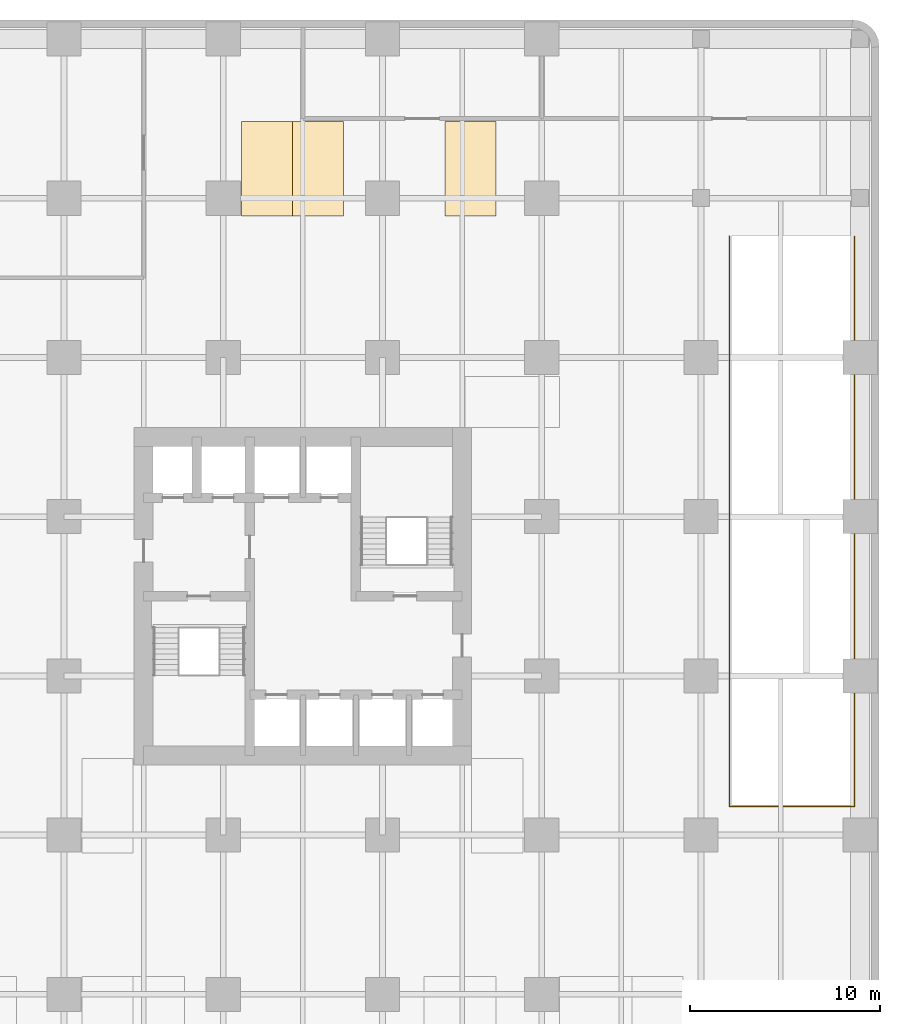
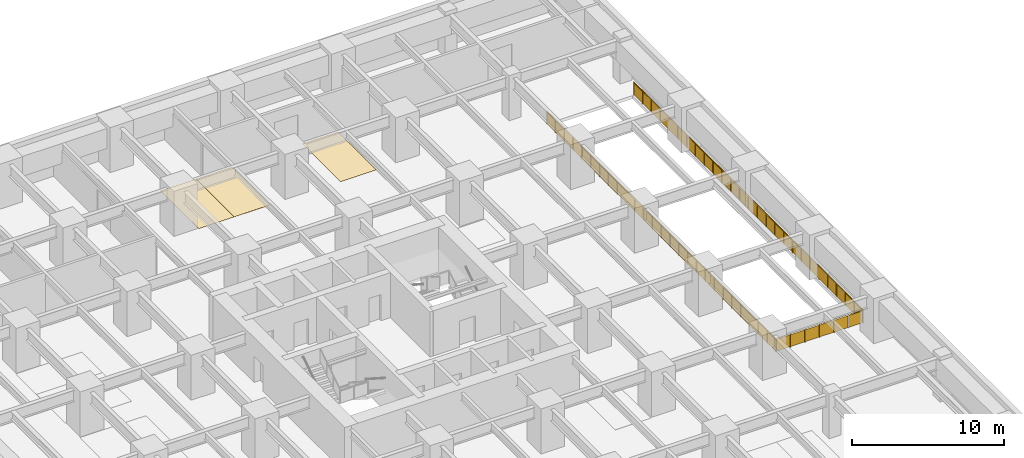
# One storey, part 9 of 9: 3 coverings, 1 railing.
"""IFC4 building model written with IfcOpenShell, lengths in metres."""

from ifc_helpers import new_model, si_unit, direction, frame, origin, origin_2d, place, context, subcontext, project, spatial, polyline, circle, outline, extrude, material, layer, layer_set, type_object, element, save


model = new_model("IFC4")

# Units and contexts
model_context = context("Model", 3, precision=1e-05, world=origin(), true_north=direction((0.0, 1.0)))
body_context = subcontext(model_context, "Body", "Model", "MODEL_VIEW")
ifc_project = project(units=[si_unit("LENGTHUNIT", "METRE"), si_unit("AREAUNIT", "SQUARE_METRE"), si_unit("VOLUMEUNIT", "CUBIC_METRE"), si_unit("PLANEANGLEUNIT", "RADIAN"), si_unit("MASSUNIT", "GRAM", prefix="KILO")], contexts=[model_context])

# Site, building, storey
site_placement = place(None, origin())
site = spatial("IfcSite", under=ifc_project, at=site_placement, CompositionType="ELEMENT")
building_placement = place(site_placement, origin())
building = spatial("IfcBuilding", under=site, at=building_placement, Name="Torre Alcanfor", CompositionType="ELEMENT")
storey_placement = place(building_placement, frame((0.0, 0.0, -3.60009765625)))
storey = spatial("IfcBuildingStorey", under=building, at=storey_placement, Name="B1", CompositionType="ELEMENT", Elevation=-3.60009765625)

# Coverings
ifc_material_1 = material(Name="Line-marking paint on sealed concrete", Category="concrete")
ifc_layer = layer(ifc_material_1, 0.0029296875)
ifc_layer_set = layer_set([ifc_layer], Name="Parking bay marking 2700x5000")
covering_type = type_object("IfcCoveringType", Name="Parking bay marking 2700x5000", PredefinedType="USERDEFINED", material=ifc_layer_set)
covering_1_placement = place(storey_placement, origin())
element("IfcCovering", 1, at=covering_1_placement, inside=storey, type_object=covering_type, Name="Parking bay 132", ObjectType="PARKING BAY", PredefinedType="USERDEFINED", context=body_context, shape_type="SweptSolid", body=[
    extrude(outline(polyline([(26.14990234375, 49.449951171875), (28.85009765625, 49.449951171875), (28.85009765625, 54.449951171875), (26.14990234375, 54.449951171875), (26.14990234375, 49.449951171875)])), origin(), (0.0, 0.0, 1.0), 0.003173828125),
])
covering_2_placement = place(storey_placement, origin())
element("IfcCovering", 2, at=covering_2_placement, inside=storey, type_object=covering_type, Name="Parking bay 133", ObjectType="PARKING BAY", PredefinedType="USERDEFINED", context=body_context, shape_type="SweptSolid", body=[
    extrude(outline(polyline([(28.85009765625, 49.449951171875), (31.550048828125, 49.449951171875), (31.550048828125, 54.449951171875), (28.85009765625, 54.449951171875), (28.85009765625, 49.449951171875)])), origin(), (0.0, 0.0, 1.0), 0.003173828125),
])
covering_3_placement = place(storey_placement, origin())
element("IfcCovering", 3, at=covering_3_placement, inside=storey, type_object=covering_type, Name="Parking bay 134", ObjectType="PARKING BAY", PredefinedType="USERDEFINED", context=body_context, shape_type="SweptSolid", body=[
    extrude(outline(polyline([(36.89990234375, 49.449951171875), (39.60009765625, 49.449951171875), (39.60009765625, 54.449951171875), (36.89990234375, 54.449951171875), (36.89990234375, 49.449951171875)])), origin(), (0.0, 0.0, 1.0), 0.003173828125),
])

# Railing
ifc_material_2 = material(Name="Steel ASTM A500 Grade C hollow sections, hot-dip galvanised ASTM A123", Category="steel")
railing_type = type_object("IfcRailingType", Name="Ramp guard 1100", PredefinedType="GUARDRAIL", material=ifc_material_2)
railing_placement = place(storey_placement, frame((51.89990234375, 48.39990234375, 0.0)))
element("IfcRailing", 4, at=railing_placement, inside=storey, type_object=railing_type, Name="Ramp opening guard B1", PredefinedType="GUARDRAIL", context=body_context, shape_type="SweptSolid", body=[
    extrude(circle(Radius=0.02392578125, at=origin_2d()), frame((0.0, 0.0, 1.076171875), z_axis=(0.0, -1.0, 0.0), x_axis=(1.0, 0.0, 0.0)), (0.0, 0.0, 1.0), 30.099853515625),
    extrude(circle(Radius=0.02392578125, at=origin_2d()), frame((0.0, -30.099853515625, 1.076171875), z_axis=(1.0, 0.0, 0.0), x_axis=(0.0, 1.0, 0.0)), (0.0, 0.0, 1.0), 6.60009765625),
    extrude(circle(Radius=0.02392578125, at=origin_2d()), frame((6.60009765625, -30.099853515625, 1.076171875), z_axis=(0.0, 1.0, 0.0), x_axis=(-1.0, 0.0, 0.0)), (0.0, 0.0, 1.0), 30.099853515625),
    extrude(circle(Radius=0.02099609375, at=origin_2d()), origin(), (0.0, 0.0, 1.0), 1.052001953125),
    extrude(circle(Radius=0.02099609375, at=origin_2d()), frame((0.0, -1.15771484375, 0.0)), (0.0, 0.0, 1.0), 1.052001953125),
    extrude(circle(Radius=0.02099609375, at=origin_2d()), frame((0.0, -2.3154296875, 0.0)), (0.0, 0.0, 1.0), 1.052001953125),
    extrude(circle(Radius=0.02099609375, at=origin_2d()), frame((0.0, -3.47314453125, 0.0)), (0.0, 0.0, 1.0), 1.052001953125),
    extrude(circle(Radius=0.02099609375, at=origin_2d()), frame((0.0, -4.630859375, 0.0)), (0.0, 0.0, 1.0), 1.052001953125),
    extrude(circle(Radius=0.02099609375, at=origin_2d()), frame((0.0, -5.788330078125, 0.0)), (0.0, 0.0, 1.0), 1.052001953125),
    extrude(circle(Radius=0.02099609375, at=origin_2d()), frame((0.0, -6.946044921875, 0.0)), (0.0, 0.0, 1.0), 1.052001953125),
    extrude(circle(Radius=0.02099609375, at=origin_2d()), frame((0.0, -8.103759765625, 0.0)), (0.0, 0.0, 1.0), 1.052001953125),
    extrude(circle(Radius=0.02099609375, at=origin_2d()), frame((0.0, -9.261474609375, 0.0)), (0.0, 0.0, 1.0), 1.052001953125),
    extrude(circle(Radius=0.02099609375, at=origin_2d()), frame((0.0, -10.419189453125, 0.0)), (0.0, 0.0, 1.0), 1.052001953125),
    extrude(circle(Radius=0.02099609375, at=origin_2d()), frame((0.0, -11.576904296875, 0.0)), (0.0, 0.0, 1.0), 1.052001953125),
    extrude(circle(Radius=0.02099609375, at=origin_2d()), frame((0.0, -12.734619140625, 0.0)), (0.0, 0.0, 1.0), 1.052001953125),
    extrude(circle(Radius=0.02099609375, at=origin_2d()), frame((0.0, -13.892333984375, 0.0)), (0.0, 0.0, 1.0), 1.052001953125),
    extrude(circle(Radius=0.02099609375, at=origin_2d()), frame((0.0, -15.0498046875, 0.0)), (0.0, 0.0, 1.0), 1.052001953125),
    extrude(circle(Radius=0.02099609375, at=origin_2d()), frame((0.0, -16.20751953125, 0.0)), (0.0, 0.0, 1.0), 1.052001953125),
    extrude(circle(Radius=0.02099609375, at=origin_2d()), frame((0.0, -17.365234375, 0.0)), (0.0, 0.0, 1.0), 1.052001953125),
    extrude(circle(Radius=0.02099609375, at=origin_2d()), frame((0.0, -18.52294921875, 0.0)), (0.0, 0.0, 1.0), 1.052001953125),
    extrude(circle(Radius=0.02099609375, at=origin_2d()), frame((0.0, -19.6806640625, 0.0)), (0.0, 0.0, 1.0), 1.052001953125),
    extrude(circle(Radius=0.02099609375, at=origin_2d()), frame((0.0, -20.83837890625, 0.0)), (0.0, 0.0, 1.0), 1.052001953125),
    extrude(circle(Radius=0.02099609375, at=origin_2d()), frame((0.0, -21.99609375, 0.0)), (0.0, 0.0, 1.0), 1.052001953125),
    extrude(circle(Radius=0.02099609375, at=origin_2d()), frame((0.0, -23.15380859375, 0.0)), (0.0, 0.0, 1.0), 1.052001953125),
    extrude(circle(Radius=0.02099609375, at=origin_2d()), frame((0.0, -24.3115234375, 0.0)), (0.0, 0.0, 1.0), 1.052001953125),
    extrude(circle(Radius=0.02099609375, at=origin_2d()), frame((0.0, -25.468994140625, 0.0)), (0.0, 0.0, 1.0), 1.052001953125),
    extrude(circle(Radius=0.02099609375, at=origin_2d()), frame((0.0, -26.626708984375, 0.0)), (0.0, 0.0, 1.0), 1.052001953125),
    extrude(circle(Radius=0.02099609375, at=origin_2d()), frame((0.0, -27.784423828125, 0.0)), (0.0, 0.0, 1.0), 1.052001953125),
    extrude(circle(Radius=0.02099609375, at=origin_2d()), frame((0.0, -28.942138671875, 0.0)), (0.0, 0.0, 1.0), 1.052001953125),
    extrude(circle(Radius=0.02099609375, at=origin_2d()), frame((0.0, -30.099853515625, 0.0)), (0.0, 0.0, 1.0), 1.052001953125),
    extrude(circle(Radius=0.02099609375, at=origin_2d()), frame((1.10009765625, -30.099853515625, 0.0)), (0.0, 0.0, 1.0), 1.052001953125),
    extrude(circle(Radius=0.02099609375, at=origin_2d()), frame((2.199951171875, -30.099853515625, 0.0)), (0.0, 0.0, 1.0), 1.052001953125),
    extrude(circle(Radius=0.02099609375, at=origin_2d()), frame((3.300048828125, -30.099853515625, 0.0)), (0.0, 0.0, 1.0), 1.052001953125),
    extrude(circle(Radius=0.02099609375, at=origin_2d()), frame((4.400146484375, -30.099853515625, 0.0)), (0.0, 0.0, 1.0), 1.052001953125),
    extrude(circle(Radius=0.02099609375, at=origin_2d()), frame((5.5, -30.099853515625, 0.0)), (0.0, 0.0, 1.0), 1.052001953125),
    extrude(circle(Radius=0.02099609375, at=origin_2d()), frame((6.60009765625, -30.099853515625, 0.0)), (0.0, 0.0, 1.0), 1.052001953125),
    extrude(circle(Radius=0.02099609375, at=origin_2d()), frame((6.60009765625, -28.942138671875, 0.0)), (0.0, 0.0, 1.0), 1.052001953125),
    extrude(circle(Radius=0.02099609375, at=origin_2d()), frame((6.60009765625, -27.784423828125, 0.0)), (0.0, 0.0, 1.0), 1.052001953125),
    extrude(circle(Radius=0.02099609375, at=origin_2d()), frame((6.60009765625, -26.626708984375, 0.0)), (0.0, 0.0, 1.0), 1.052001953125),
    extrude(circle(Radius=0.02099609375, at=origin_2d()), frame((6.60009765625, -25.468994140625, 0.0)), (0.0, 0.0, 1.0), 1.052001953125),
    extrude(circle(Radius=0.02099609375, at=origin_2d()), frame((6.60009765625, -24.3115234375, 0.0)), (0.0, 0.0, 1.0), 1.052001953125),
    extrude(circle(Radius=0.02099609375, at=origin_2d()), frame((6.60009765625, -23.15380859375, 0.0)), (0.0, 0.0, 1.0), 1.052001953125),
    extrude(circle(Radius=0.02099609375, at=origin_2d()), frame((6.60009765625, -21.99609375, 0.0)), (0.0, 0.0, 1.0), 1.052001953125),
    extrude(circle(Radius=0.02099609375, at=origin_2d()), frame((6.60009765625, -20.83837890625, 0.0)), (0.0, 0.0, 1.0), 1.052001953125),
    extrude(circle(Radius=0.02099609375, at=origin_2d()), frame((6.60009765625, -19.6806640625, 0.0)), (0.0, 0.0, 1.0), 1.052001953125),
    extrude(circle(Radius=0.02099609375, at=origin_2d()), frame((6.60009765625, -18.52294921875, 0.0)), (0.0, 0.0, 1.0), 1.052001953125),
    extrude(circle(Radius=0.02099609375, at=origin_2d()), frame((6.60009765625, -17.365234375, 0.0)), (0.0, 0.0, 1.0), 1.052001953125),
    extrude(circle(Radius=0.02099609375, at=origin_2d()), frame((6.60009765625, -16.20751953125, 0.0)), (0.0, 0.0, 1.0), 1.052001953125),
    extrude(circle(Radius=0.02099609375, at=origin_2d()), frame((6.60009765625, -15.0498046875, 0.0)), (0.0, 0.0, 1.0), 1.052001953125),
    extrude(circle(Radius=0.02099609375, at=origin_2d()), frame((6.60009765625, -13.892333984375, 0.0)), (0.0, 0.0, 1.0), 1.052001953125),
    extrude(circle(Radius=0.02099609375, at=origin_2d()), frame((6.60009765625, -12.734619140625, 0.0)), (0.0, 0.0, 1.0), 1.052001953125),
    extrude(circle(Radius=0.02099609375, at=origin_2d()), frame((6.60009765625, -11.576904296875, 0.0)), (0.0, 0.0, 1.0), 1.052001953125),
    extrude(circle(Radius=0.02099609375, at=origin_2d()), frame((6.60009765625, -10.419189453125, 0.0)), (0.0, 0.0, 1.0), 1.052001953125),
    extrude(circle(Radius=0.02099609375, at=origin_2d()), frame((6.60009765625, -9.261474609375, 0.0)), (0.0, 0.0, 1.0), 1.052001953125),
    extrude(circle(Radius=0.02099609375, at=origin_2d()), frame((6.60009765625, -8.103759765625, 0.0)), (0.0, 0.0, 1.0), 1.052001953125),
    extrude(circle(Radius=0.02099609375, at=origin_2d()), frame((6.60009765625, -6.946044921875, 0.0)), (0.0, 0.0, 1.0), 1.052001953125),
    extrude(circle(Radius=0.02099609375, at=origin_2d()), frame((6.60009765625, -5.788330078125, 0.0)), (0.0, 0.0, 1.0), 1.052001953125),
    extrude(circle(Radius=0.02099609375, at=origin_2d()), frame((6.60009765625, -4.630859375, 0.0)), (0.0, 0.0, 1.0), 1.052001953125),
    extrude(circle(Radius=0.02099609375, at=origin_2d()), frame((6.60009765625, -3.47314453125, 0.0)), (0.0, 0.0, 1.0), 1.052001953125),
    extrude(circle(Radius=0.02099609375, at=origin_2d()), frame((6.60009765625, -2.3154296875, 0.0)), (0.0, 0.0, 1.0), 1.052001953125),
    extrude(circle(Radius=0.02099609375, at=origin_2d()), frame((6.60009765625, -1.15771484375, 0.0)), (0.0, 0.0, 1.0), 1.052001953125),
    extrude(circle(Radius=0.02099609375, at=origin_2d()), frame((6.60009765625, 0.0, 0.0)), (0.0, 0.0, 1.0), 1.052001953125),
    extrude(outline(polyline([(0.041015625, 0.050048828125), (1.11669921875, 0.050048828125), (1.11669921875, 1.001953125), (0.041015625, 1.001953125), (0.041015625, 0.050048828125)])), frame((0.005859375, 0.0, 0.0), z_axis=(-1.0, 0.0, 0.0), x_axis=(0.0, -1.0, 0.0)), (0.0, 0.0, 1.0), 0.011962890625),
    extrude(outline(polyline([(1.19873046875, 0.050048828125), (2.2744140625, 0.050048828125), (2.2744140625, 1.001953125), (1.19873046875, 1.001953125), (1.19873046875, 0.050048828125)])), frame((0.005859375, 0.0, 0.0), z_axis=(-1.0, 0.0, 0.0), x_axis=(0.0, -1.0, 0.0)), (0.0, 0.0, 1.0), 0.011962890625),
    extrude(outline(polyline([(2.3564453125, 0.050048828125), (3.43212890625, 0.050048828125), (3.43212890625, 1.001953125), (2.3564453125, 1.001953125), (2.3564453125, 0.050048828125)])), frame((0.005859375, 0.0, 0.0), z_axis=(-1.0, 0.0, 0.0), x_axis=(0.0, -1.0, 0.0)), (0.0, 0.0, 1.0), 0.011962890625),
    extrude(outline(polyline([(3.51416015625, 0.050048828125), (4.58984375, 0.050048828125), (4.58984375, 1.001953125), (3.51416015625, 1.001953125), (3.51416015625, 0.050048828125)])), frame((0.005859375, 0.0, 0.0), z_axis=(-1.0, 0.0, 0.0), x_axis=(0.0, -1.0, 0.0)), (0.0, 0.0, 1.0), 0.011962890625),
    extrude(outline(polyline([(4.671630859375, 0.050048828125), (5.747314453125, 0.050048828125), (5.747314453125, 1.001953125), (4.671630859375, 1.001953125), (4.671630859375, 0.050048828125)])), frame((0.005859375, 0.0, 0.0), z_axis=(-1.0, 0.0, 0.0), x_axis=(0.0, -1.0, 0.0)), (0.0, 0.0, 1.0), 0.011962890625),
    extrude(outline(polyline([(5.829345703125, 0.050048828125), (6.905029296875, 0.050048828125), (6.905029296875, 1.001953125), (5.829345703125, 1.001953125), (5.829345703125, 0.050048828125)])), frame((0.005859375, 0.0, 0.0), z_axis=(-1.0, 0.0, 0.0), x_axis=(0.0, -1.0, 0.0)), (0.0, 0.0, 1.0), 0.011962890625),
    extrude(outline(polyline([(6.987060546875, 0.050048828125), (8.062744140625, 0.050048828125), (8.062744140625, 1.001953125), (6.987060546875, 1.001953125), (6.987060546875, 0.050048828125)])), frame((0.005859375, 0.0, 0.0), z_axis=(-1.0, 0.0, 0.0), x_axis=(0.0, -1.0, 0.0)), (0.0, 0.0, 1.0), 0.011962890625),
    extrude(outline(polyline([(8.144775390625, 0.050048828125), (9.220458984375, 0.050048828125), (9.220458984375, 1.001953125), (8.144775390625, 1.001953125), (8.144775390625, 0.050048828125)])), frame((0.005859375, 0.0, 0.0), z_axis=(-1.0, 0.0, 0.0), x_axis=(0.0, -1.0, 0.0)), (0.0, 0.0, 1.0), 0.011962890625),
    extrude(outline(polyline([(9.302490234375, 0.050048828125), (10.378173828125, 0.050048828125), (10.378173828125, 1.001953125), (9.302490234375, 1.001953125), (9.302490234375, 0.050048828125)])), frame((0.005859375, 0.0, 0.0), z_axis=(-1.0, 0.0, 0.0), x_axis=(0.0, -1.0, 0.0)), (0.0, 0.0, 1.0), 0.011962890625),
    extrude(outline(polyline([(10.460205078125, 0.050048828125), (11.535888671875, 0.050048828125), (11.535888671875, 1.001953125), (10.460205078125, 1.001953125), (10.460205078125, 0.050048828125)])), frame((0.005859375, 0.0, 0.0), z_axis=(-1.0, 0.0, 0.0), x_axis=(0.0, -1.0, 0.0)), (0.0, 0.0, 1.0), 0.011962890625),
    extrude(outline(polyline([(11.617919921875, 0.050048828125), (12.693603515625, 0.050048828125), (12.693603515625, 1.001953125), (11.617919921875, 1.001953125), (11.617919921875, 0.050048828125)])), frame((0.005859375, 0.0, 0.0), z_axis=(-1.0, 0.0, 0.0), x_axis=(0.0, -1.0, 0.0)), (0.0, 0.0, 1.0), 0.011962890625),
    extrude(outline(polyline([(12.775634765625, 0.050048828125), (13.851318359375, 0.050048828125), (13.851318359375, 1.001953125), (12.775634765625, 1.001953125), (12.775634765625, 0.050048828125)])), frame((0.005859375, 0.0, 0.0), z_axis=(-1.0, 0.0, 0.0), x_axis=(0.0, -1.0, 0.0)), (0.0, 0.0, 1.0), 0.011962890625),
    extrude(outline(polyline([(13.933349609375, 0.050048828125), (15.009033203125, 0.050048828125), (15.009033203125, 1.001953125), (13.933349609375, 1.001953125), (13.933349609375, 0.050048828125)])), frame((0.005859375, 0.0, 0.0), z_axis=(-1.0, 0.0, 0.0), x_axis=(0.0, -1.0, 0.0)), (0.0, 0.0, 1.0), 0.011962890625),
    extrude(outline(polyline([(15.0908203125, 0.050048828125), (16.16650390625, 0.050048828125), (16.16650390625, 1.001953125), (15.0908203125, 1.001953125), (15.0908203125, 0.050048828125)])), frame((0.005859375, 0.0, 0.0), z_axis=(-1.0, 0.0, 0.0), x_axis=(0.0, -1.0, 0.0)), (0.0, 0.0, 1.0), 0.011962890625),
    extrude(outline(polyline([(16.24853515625, 0.050048828125), (17.32421875, 0.050048828125), (17.32421875, 1.001953125), (16.24853515625, 1.001953125), (16.24853515625, 0.050048828125)])), frame((0.005859375, 0.0, 0.0), z_axis=(-1.0, 0.0, 0.0), x_axis=(0.0, -1.0, 0.0)), (0.0, 0.0, 1.0), 0.011962890625),
    extrude(outline(polyline([(17.40625, 0.050048828125), (18.48193359375, 0.050048828125), (18.48193359375, 1.001953125), (17.40625, 1.001953125), (17.40625, 0.050048828125)])), frame((0.005859375, 0.0, 0.0), z_axis=(-1.0, 0.0, 0.0), x_axis=(0.0, -1.0, 0.0)), (0.0, 0.0, 1.0), 0.011962890625),
    extrude(outline(polyline([(18.56396484375, 0.050048828125), (19.6396484375, 0.050048828125), (19.6396484375, 1.001953125), (18.56396484375, 1.001953125), (18.56396484375, 0.050048828125)])), frame((0.005859375, 0.0, 0.0), z_axis=(-1.0, 0.0, 0.0), x_axis=(0.0, -1.0, 0.0)), (0.0, 0.0, 1.0), 0.011962890625),
    extrude(outline(polyline([(19.7216796875, 0.050048828125), (20.79736328125, 0.050048828125), (20.79736328125, 1.001953125), (19.7216796875, 1.001953125), (19.7216796875, 0.050048828125)])), frame((0.005859375, 0.0, 0.0), z_axis=(-1.0, 0.0, 0.0), x_axis=(0.0, -1.0, 0.0)), (0.0, 0.0, 1.0), 0.011962890625),
    extrude(outline(polyline([(20.87939453125, 0.050048828125), (21.955078125, 0.050048828125), (21.955078125, 1.001953125), (20.87939453125, 1.001953125), (20.87939453125, 0.050048828125)])), frame((0.005859375, 0.0, 0.0), z_axis=(-1.0, 0.0, 0.0), x_axis=(0.0, -1.0, 0.0)), (0.0, 0.0, 1.0), 0.011962890625),
    extrude(outline(polyline([(22.037109375, 0.050048828125), (23.11279296875, 0.050048828125), (23.11279296875, 1.001953125), (22.037109375, 1.001953125), (22.037109375, 0.050048828125)])), frame((0.005859375, 0.0, 0.0), z_axis=(-1.0, 0.0, 0.0), x_axis=(0.0, -1.0, 0.0)), (0.0, 0.0, 1.0), 0.011962890625),
    extrude(outline(polyline([(23.19482421875, 0.050048828125), (24.2705078125, 0.050048828125), (24.2705078125, 1.001953125), (23.19482421875, 1.001953125), (23.19482421875, 0.050048828125)])), frame((0.005859375, 0.0, 0.0), z_axis=(-1.0, 0.0, 0.0), x_axis=(0.0, -1.0, 0.0)), (0.0, 0.0, 1.0), 0.011962890625),
    extrude(outline(polyline([(24.3525390625, 0.050048828125), (25.42822265625, 0.050048828125), (25.42822265625, 1.001953125), (24.3525390625, 1.001953125), (24.3525390625, 0.050048828125)])), frame((0.005859375, 0.0, 0.0), z_axis=(-1.0, 0.0, 0.0), x_axis=(0.0, -1.0, 0.0)), (0.0, 0.0, 1.0), 0.011962890625),
    extrude(outline(polyline([(25.510009765625, 0.050048828125), (26.585693359375, 0.050048828125), (26.585693359375, 1.001953125), (25.510009765625, 1.001953125), (25.510009765625, 0.050048828125)])), frame((0.005859375, 0.0, 0.0), z_axis=(-1.0, 0.0, 0.0), x_axis=(0.0, -1.0, 0.0)), (0.0, 0.0, 1.0), 0.011962890625),
    extrude(outline(polyline([(26.667724609375, 0.050048828125), (27.743408203125, 0.050048828125), (27.743408203125, 1.001953125), (26.667724609375, 1.001953125), (26.667724609375, 0.050048828125)])), frame((0.005859375, 0.0, 0.0), z_axis=(-1.0, 0.0, 0.0), x_axis=(0.0, -1.0, 0.0)), (0.0, 0.0, 1.0), 0.011962890625),
    extrude(outline(polyline([(27.825439453125, 0.050048828125), (28.901123046875, 0.050048828125), (28.901123046875, 1.001953125), (27.825439453125, 1.001953125), (27.825439453125, 0.050048828125)])), frame((0.005859375, 0.0, 0.0), z_axis=(-1.0, 0.0, 0.0), x_axis=(0.0, -1.0, 0.0)), (0.0, 0.0, 1.0), 0.011962890625),
    extrude(outline(polyline([(28.983154296875, 0.050048828125), (30.058837890625, 0.050048828125), (30.058837890625, 1.001953125), (28.983154296875, 1.001953125), (28.983154296875, 0.050048828125)])), frame((0.005859375, 0.0, 0.0), z_axis=(-1.0, 0.0, 0.0), x_axis=(0.0, -1.0, 0.0)), (0.0, 0.0, 1.0), 0.011962890625),
    extrude(outline(polyline([(0.041015625, 0.050048828125), (1.05908203125, 0.050048828125), (1.05908203125, 1.001953125), (0.041015625, 1.001953125), (0.041015625, 0.050048828125)])), frame((0.0, -30.09375, 0.0), z_axis=(0.0, -1.0, 0.0), x_axis=(1.0, 0.0, 0.0)), (0.0, 0.0, 1.0), 0.011962890625),
    extrude(outline(polyline([(1.14111328125, 0.050048828125), (2.158935546875, 0.050048828125), (2.158935546875, 1.001953125), (1.14111328125, 1.001953125), (1.14111328125, 0.050048828125)])), frame((0.0, -30.09375, 0.0), z_axis=(0.0, -1.0, 0.0), x_axis=(1.0, 0.0, 0.0)), (0.0, 0.0, 1.0), 0.011962890625),
    extrude(outline(polyline([(2.240966796875, 0.050048828125), (3.259033203125, 0.050048828125), (3.259033203125, 1.001953125), (2.240966796875, 1.001953125), (2.240966796875, 0.050048828125)])), frame((0.0, -30.09375, 0.0), z_axis=(0.0, -1.0, 0.0), x_axis=(1.0, 0.0, 0.0)), (0.0, 0.0, 1.0), 0.011962890625),
    extrude(outline(polyline([(3.341064453125, 0.050048828125), (4.359130859375, 0.050048828125), (4.359130859375, 1.001953125), (3.341064453125, 1.001953125), (3.341064453125, 0.050048828125)])), frame((0.0, -30.09375, 0.0), z_axis=(0.0, -1.0, 0.0), x_axis=(1.0, 0.0, 0.0)), (0.0, 0.0, 1.0), 0.011962890625),
    extrude(outline(polyline([(4.441162109375, 0.050048828125), (5.458984375, 0.050048828125), (5.458984375, 1.001953125), (4.441162109375, 1.001953125), (4.441162109375, 0.050048828125)])), frame((0.0, -30.09375, 0.0), z_axis=(0.0, -1.0, 0.0), x_axis=(1.0, 0.0, 0.0)), (0.0, 0.0, 1.0), 0.011962890625),
    extrude(outline(polyline([(5.541015625, 0.050048828125), (6.55908203125, 0.050048828125), (6.55908203125, 1.001953125), (5.541015625, 1.001953125), (5.541015625, 0.050048828125)])), frame((0.0, -30.09375, 0.0), z_axis=(0.0, -1.0, 0.0), x_axis=(1.0, 0.0, 0.0)), (0.0, 0.0, 1.0), 0.011962890625),
    extrude(outline(polyline([(0.041015625, 0.050048828125), (1.11669921875, 0.050048828125), (1.11669921875, 1.001953125), (0.041015625, 1.001953125), (0.041015625, 0.050048828125)])), frame((6.59423828125, -30.099853515625, 0.0), z_axis=(1.0, 0.0, 0.0), x_axis=(0.0, 1.0, 0.0)), (0.0, 0.0, 1.0), 0.011962890625),
    extrude(outline(polyline([(1.19873046875, 0.050048828125), (2.2744140625, 0.050048828125), (2.2744140625, 1.001953125), (1.19873046875, 1.001953125), (1.19873046875, 0.050048828125)])), frame((6.59423828125, -30.099853515625, 0.0), z_axis=(1.0, 0.0, 0.0), x_axis=(0.0, 1.0, 0.0)), (0.0, 0.0, 1.0), 0.011962890625),
    extrude(outline(polyline([(2.3564453125, 0.050048828125), (3.43212890625, 0.050048828125), (3.43212890625, 1.001953125), (2.3564453125, 1.001953125), (2.3564453125, 0.050048828125)])), frame((6.59423828125, -30.099853515625, 0.0), z_axis=(1.0, 0.0, 0.0), x_axis=(0.0, 1.0, 0.0)), (0.0, 0.0, 1.0), 0.011962890625),
    extrude(outline(polyline([(3.51416015625, 0.050048828125), (4.58984375, 0.050048828125), (4.58984375, 1.001953125), (3.51416015625, 1.001953125), (3.51416015625, 0.050048828125)])), frame((6.59423828125, -30.099853515625, 0.0), z_axis=(1.0, 0.0, 0.0), x_axis=(0.0, 1.0, 0.0)), (0.0, 0.0, 1.0), 0.011962890625),
    extrude(outline(polyline([(4.671630859375, 0.050048828125), (5.747314453125, 0.050048828125), (5.747314453125, 1.001953125), (4.671630859375, 1.001953125), (4.671630859375, 0.050048828125)])), frame((6.59423828125, -30.099853515625, 0.0), z_axis=(1.0, 0.0, 0.0), x_axis=(0.0, 1.0, 0.0)), (0.0, 0.0, 1.0), 0.011962890625),
    extrude(outline(polyline([(5.829345703125, 0.050048828125), (6.905029296875, 0.050048828125), (6.905029296875, 1.001953125), (5.829345703125, 1.001953125), (5.829345703125, 0.050048828125)])), frame((6.59423828125, -30.099853515625, 0.0), z_axis=(1.0, 0.0, 0.0), x_axis=(0.0, 1.0, 0.0)), (0.0, 0.0, 1.0), 0.011962890625),
    extrude(outline(polyline([(6.987060546875, 0.050048828125), (8.062744140625, 0.050048828125), (8.062744140625, 1.001953125), (6.987060546875, 1.001953125), (6.987060546875, 0.050048828125)])), frame((6.59423828125, -30.099853515625, 0.0), z_axis=(1.0, 0.0, 0.0), x_axis=(0.0, 1.0, 0.0)), (0.0, 0.0, 1.0), 0.011962890625),
    extrude(outline(polyline([(8.144775390625, 0.050048828125), (9.220458984375, 0.050048828125), (9.220458984375, 1.001953125), (8.144775390625, 1.001953125), (8.144775390625, 0.050048828125)])), frame((6.59423828125, -30.099853515625, 0.0), z_axis=(1.0, 0.0, 0.0), x_axis=(0.0, 1.0, 0.0)), (0.0, 0.0, 1.0), 0.011962890625),
    extrude(outline(polyline([(9.302490234375, 0.050048828125), (10.378173828125, 0.050048828125), (10.378173828125, 1.001953125), (9.302490234375, 1.001953125), (9.302490234375, 0.050048828125)])), frame((6.59423828125, -30.099853515625, 0.0), z_axis=(1.0, 0.0, 0.0), x_axis=(0.0, 1.0, 0.0)), (0.0, 0.0, 1.0), 0.011962890625),
    extrude(outline(polyline([(10.460205078125, 0.050048828125), (11.535888671875, 0.050048828125), (11.535888671875, 1.001953125), (10.460205078125, 1.001953125), (10.460205078125, 0.050048828125)])), frame((6.59423828125, -30.099853515625, 0.0), z_axis=(1.0, 0.0, 0.0), x_axis=(0.0, 1.0, 0.0)), (0.0, 0.0, 1.0), 0.011962890625),
    extrude(outline(polyline([(11.617919921875, 0.050048828125), (12.693603515625, 0.050048828125), (12.693603515625, 1.001953125), (11.617919921875, 1.001953125), (11.617919921875, 0.050048828125)])), frame((6.59423828125, -30.099853515625, 0.0), z_axis=(1.0, 0.0, 0.0), x_axis=(0.0, 1.0, 0.0)), (0.0, 0.0, 1.0), 0.011962890625),
    extrude(outline(polyline([(12.775634765625, 0.050048828125), (13.851318359375, 0.050048828125), (13.851318359375, 1.001953125), (12.775634765625, 1.001953125), (12.775634765625, 0.050048828125)])), frame((6.59423828125, -30.099853515625, 0.0), z_axis=(1.0, 0.0, 0.0), x_axis=(0.0, 1.0, 0.0)), (0.0, 0.0, 1.0), 0.011962890625),
    extrude(outline(polyline([(13.933349609375, 0.050048828125), (15.009033203125, 0.050048828125), (15.009033203125, 1.001953125), (13.933349609375, 1.001953125), (13.933349609375, 0.050048828125)])), frame((6.59423828125, -30.099853515625, 0.0), z_axis=(1.0, 0.0, 0.0), x_axis=(0.0, 1.0, 0.0)), (0.0, 0.0, 1.0), 0.011962890625),
    extrude(outline(polyline([(15.0908203125, 0.050048828125), (16.16650390625, 0.050048828125), (16.16650390625, 1.001953125), (15.0908203125, 1.001953125), (15.0908203125, 0.050048828125)])), frame((6.59423828125, -30.099853515625, 0.0), z_axis=(1.0, 0.0, 0.0), x_axis=(0.0, 1.0, 0.0)), (0.0, 0.0, 1.0), 0.011962890625),
    extrude(outline(polyline([(16.24853515625, 0.050048828125), (17.32421875, 0.050048828125), (17.32421875, 1.001953125), (16.24853515625, 1.001953125), (16.24853515625, 0.050048828125)])), frame((6.59423828125, -30.099853515625, 0.0), z_axis=(1.0, 0.0, 0.0), x_axis=(0.0, 1.0, 0.0)), (0.0, 0.0, 1.0), 0.011962890625),
    extrude(outline(polyline([(17.40625, 0.050048828125), (18.48193359375, 0.050048828125), (18.48193359375, 1.001953125), (17.40625, 1.001953125), (17.40625, 0.050048828125)])), frame((6.59423828125, -30.099853515625, 0.0), z_axis=(1.0, 0.0, 0.0), x_axis=(0.0, 1.0, 0.0)), (0.0, 0.0, 1.0), 0.011962890625),
    extrude(outline(polyline([(18.56396484375, 0.050048828125), (19.6396484375, 0.050048828125), (19.6396484375, 1.001953125), (18.56396484375, 1.001953125), (18.56396484375, 0.050048828125)])), frame((6.59423828125, -30.099853515625, 0.0), z_axis=(1.0, 0.0, 0.0), x_axis=(0.0, 1.0, 0.0)), (0.0, 0.0, 1.0), 0.011962890625),
    extrude(outline(polyline([(19.7216796875, 0.050048828125), (20.79736328125, 0.050048828125), (20.79736328125, 1.001953125), (19.7216796875, 1.001953125), (19.7216796875, 0.050048828125)])), frame((6.59423828125, -30.099853515625, 0.0), z_axis=(1.0, 0.0, 0.0), x_axis=(0.0, 1.0, 0.0)), (0.0, 0.0, 1.0), 0.011962890625),
    extrude(outline(polyline([(20.87939453125, 0.050048828125), (21.955078125, 0.050048828125), (21.955078125, 1.001953125), (20.87939453125, 1.001953125), (20.87939453125, 0.050048828125)])), frame((6.59423828125, -30.099853515625, 0.0), z_axis=(1.0, 0.0, 0.0), x_axis=(0.0, 1.0, 0.0)), (0.0, 0.0, 1.0), 0.011962890625),
    extrude(outline(polyline([(22.037109375, 0.050048828125), (23.11279296875, 0.050048828125), (23.11279296875, 1.001953125), (22.037109375, 1.001953125), (22.037109375, 0.050048828125)])), frame((6.59423828125, -30.099853515625, 0.0), z_axis=(1.0, 0.0, 0.0), x_axis=(0.0, 1.0, 0.0)), (0.0, 0.0, 1.0), 0.011962890625),
    extrude(outline(polyline([(23.19482421875, 0.050048828125), (24.2705078125, 0.050048828125), (24.2705078125, 1.001953125), (23.19482421875, 1.001953125), (23.19482421875, 0.050048828125)])), frame((6.59423828125, -30.099853515625, 0.0), z_axis=(1.0, 0.0, 0.0), x_axis=(0.0, 1.0, 0.0)), (0.0, 0.0, 1.0), 0.011962890625),
    extrude(outline(polyline([(24.3525390625, 0.050048828125), (25.42822265625, 0.050048828125), (25.42822265625, 1.001953125), (24.3525390625, 1.001953125), (24.3525390625, 0.050048828125)])), frame((6.59423828125, -30.099853515625, 0.0), z_axis=(1.0, 0.0, 0.0), x_axis=(0.0, 1.0, 0.0)), (0.0, 0.0, 1.0), 0.011962890625),
    extrude(outline(polyline([(25.510009765625, 0.050048828125), (26.585693359375, 0.050048828125), (26.585693359375, 1.001953125), (25.510009765625, 1.001953125), (25.510009765625, 0.050048828125)])), frame((6.59423828125, -30.099853515625, 0.0), z_axis=(1.0, 0.0, 0.0), x_axis=(0.0, 1.0, 0.0)), (0.0, 0.0, 1.0), 0.011962890625),
    extrude(outline(polyline([(26.667724609375, 0.050048828125), (27.743408203125, 0.050048828125), (27.743408203125, 1.001953125), (26.667724609375, 1.001953125), (26.667724609375, 0.050048828125)])), frame((6.59423828125, -30.099853515625, 0.0), z_axis=(1.0, 0.0, 0.0), x_axis=(0.0, 1.0, 0.0)), (0.0, 0.0, 1.0), 0.011962890625),
    extrude(outline(polyline([(27.825439453125, 0.050048828125), (28.901123046875, 0.050048828125), (28.901123046875, 1.001953125), (27.825439453125, 1.001953125), (27.825439453125, 0.050048828125)])), frame((6.59423828125, -30.099853515625, 0.0), z_axis=(1.0, 0.0, 0.0), x_axis=(0.0, 1.0, 0.0)), (0.0, 0.0, 1.0), 0.011962890625),
    extrude(outline(polyline([(28.983154296875, 0.050048828125), (30.058837890625, 0.050048828125), (30.058837890625, 1.001953125), (28.983154296875, 1.001953125), (28.983154296875, 0.050048828125)])), frame((6.59423828125, -30.099853515625, 0.0), z_axis=(1.0, 0.0, 0.0), x_axis=(0.0, 1.0, 0.0)), (0.0, 0.0, 1.0), 0.011962890625),
])

save(model, "model.ifc")
